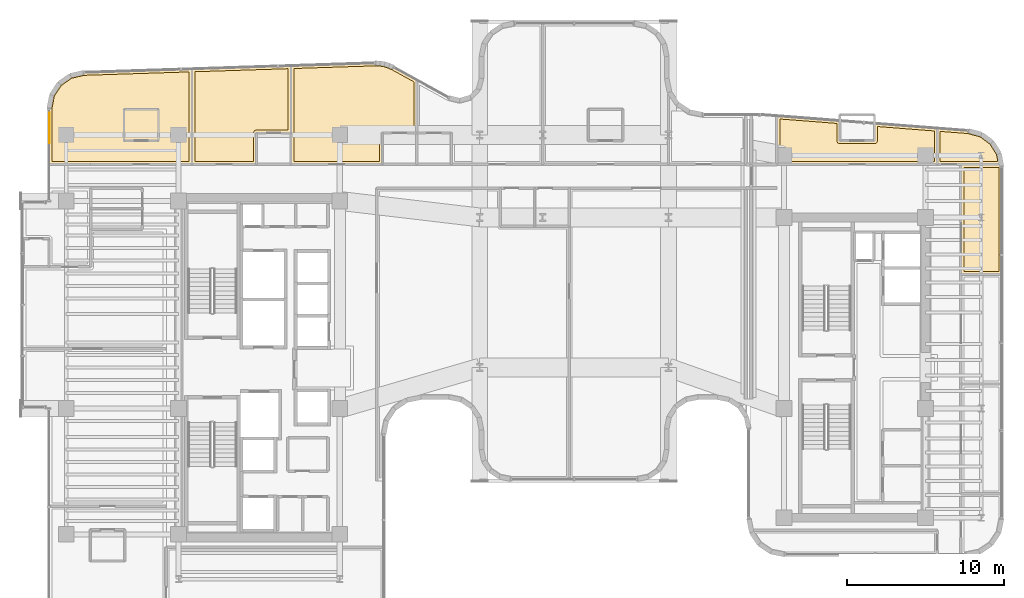
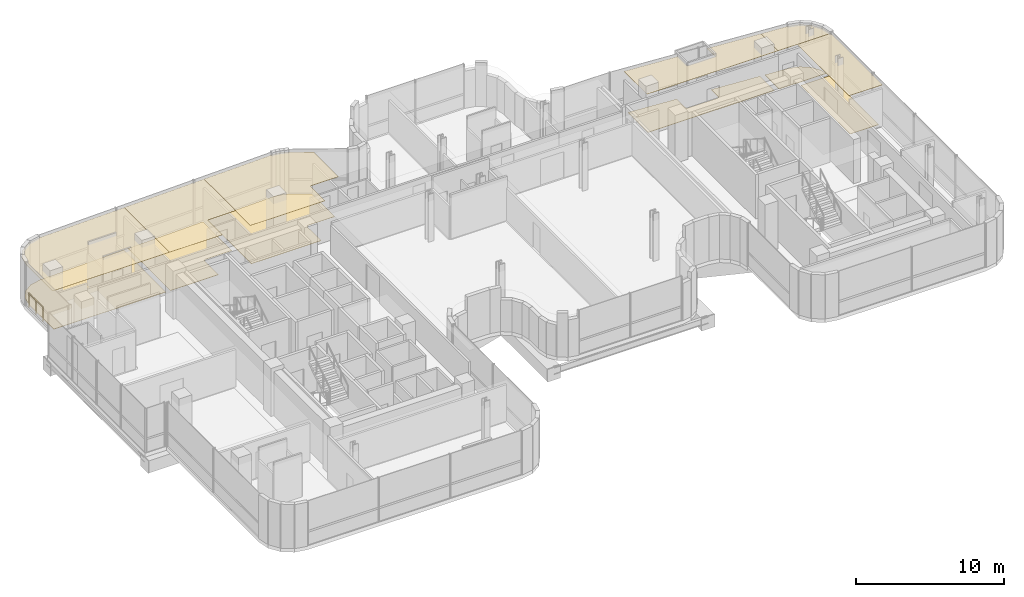
# One storey, part 35 of 36: 12 coverings, 1 railing.
"""IFC4 building model written with IfcOpenShell, lengths in metres."""

from ifc_helpers import new_model, si_unit, direction, frame, origin, origin_2d, place, context, subcontext, project, spatial, polyline, circle, outline, extrude, material, layer, layer_set, type_object, element, save


model = new_model("IFC4")

# Units and contexts
model_context = context("Model", 3, precision=1e-05, world=origin(), true_north=direction((0.0, 1.0)))
body_context = subcontext(model_context, "Body", "Model", "MODEL_VIEW")
ifc_project = project(units=[si_unit("LENGTHUNIT", "METRE"), si_unit("AREAUNIT", "SQUARE_METRE"), si_unit("VOLUMEUNIT", "CUBIC_METRE"), si_unit("PLANEANGLEUNIT", "RADIAN"), si_unit("MASSUNIT", "GRAM", prefix="KILO")], contexts=[model_context])

# Site, building, storey
site_placement = place(None, origin())
site = spatial("IfcSite", under=ifc_project, at=site_placement, CompositionType="ELEMENT")
building_placement = place(site_placement, origin())
building = spatial("IfcBuilding", under=site, at=building_placement, Name="Valdorenza Pilgrim Sanctuary Tower", CompositionType="ELEMENT")
storey_placement = place(building_placement, frame((0.0, 0.0, 176.550048828125)))
storey = spatial("IfcBuildingStorey", under=building, at=storey_placement, Name="L45", CompositionType="ELEMENT", Elevation=176.550048828125)

# Coverings
ifc_material_1 = material(Name="Micro-perforated acoustic mineral ceiling tile", Category="gypsum")
ifc_layer_1 = layer(ifc_material_1, 0.02490234375, Name="Micro-perforated acoustic mineral ceiling tile")
ifc_layer_set_1 = layer_set([ifc_layer_1], Name="Micro-perforated acoustic mineral ceiling tile")
covering_type_1 = type_object("IfcCoveringType", Name="COV-CLG-ACU", PredefinedType="CEILING", material=ifc_layer_set_1)
covering_1_placement = place(storey_placement, frame((0.0, 0.0, 3.329833984375)))
element("IfcCovering", 1, at=covering_1_placement, inside=storey, type_object=covering_type_1, Name="L45 North Guest Room L45-N1 Acoustic Ceiling", PredefinedType="CEILING", context=body_context, shape_type="SweptSolid", body=[
    extrude(outline(polyline([(-30.735595703125, 17.337890625), (-30.735107421875, 17.33935546875), (-30.734619140625, 17.3408203125), (-30.734130859375, 17.342041015625), (-30.7333984375, 17.34326171875), (-30.256591796875, 18.076416015625), (-30.255615234375, 18.077392578125), (-30.254638671875, 18.07861328125), (-30.253662109375, 18.07958984375), (-30.25244140625, 18.08056640625), (-29.535400390625, 18.580810546875), (-29.5341796875, 18.581787109375), (-29.532958984375, 18.58251953125), (-29.531494140625, 18.5830078125), (-29.5302734375, 18.583251953125), (-28.667236328125, 18.780517578125), (-28.665771484375, 18.781005859375), (-28.664306640625, 18.781005859375), (-21.800537109375, 19.00439453125), (-21.799072265625, 19.00439453125), (-21.797607421875, 19.00439453125), (-21.7958984375, 19.00390625), (-21.794677734375, 19.00341796875), (-21.793212890625, 19.0029296875), (-21.7919921875, 19.002197265625), (-21.790771484375, 19.001220703125), (-21.78955078125, 19.000244140625), (-21.78857421875, 18.999267578125), (-21.78759765625, 18.998046875), (-21.786865234375, 18.99658203125), (-21.7861328125, 18.995361328125), (-21.78564453125, 18.993896484375), (-21.785400390625, 18.992431640625), (-21.78515625, 18.990966796875), (-21.784912109375, 18.989501953125), (-21.784912109375, 12.919921875), (-21.78515625, 12.91845703125), (-21.785400390625, 12.9169921875), (-21.78564453125, 12.91552734375), (-21.7861328125, 12.914306640625), (-21.786865234375, 12.912841796875), (-21.78759765625, 12.91162109375), (-21.788330078125, 12.910400390625), (-21.789306640625, 12.909423828125), (-21.79052734375, 12.908447265625), (-21.791748046875, 12.907470703125), (-21.79296875, 12.90673828125), (-21.794189453125, 12.906005859375), (-21.795654296875, 12.905517578125), (-21.797119140625, 12.9052734375), (-21.798583984375, 12.905029296875), (-21.800048828125, 12.905029296875), (-30.889892578125, 12.905029296875), (-30.8916015625, 12.905029296875), (-30.892822265625, 12.9052734375), (-30.894287109375, 12.905517578125), (-30.895751953125, 12.906005859375), (-30.897216796875, 12.90673828125), (-30.898193359375, 12.907470703125), (-30.8994140625, 12.908447265625), (-30.900634765625, 12.909423828125), (-30.901611328125, 12.910400390625), (-30.902587890625, 12.91162109375), (-30.9033203125, 12.912841796875), (-30.90380859375, 12.914306640625), (-30.904296875, 12.91552734375), (-30.90478515625, 12.9169921875), (-30.90478515625, 12.91845703125), (-30.905029296875, 12.919921875), (-30.905029296875, 16.46630859375), (-30.90478515625, 16.4677734375), (-30.90478515625, 16.46923828125), (-30.735595703125, 17.337890625)])), origin(), (0.0, 0.0, 1.0), 0.025146484375),
])
covering_2_placement = place(storey_placement, frame((0.0, 0.0, 3.329833984375)))
element("IfcCovering", 2, at=covering_2_placement, inside=storey, type_object=covering_type_1, Name="L45 North Guest Room L45-N2 Acoustic Ceiling", PredefinedType="CEILING", context=body_context, shape_type="SweptSolid", body=[
    extrude(outline(polyline([(-21.81298828125, 18.989501953125), (-21.81298828125, 18.990234375), (-21.812744140625, 18.99169921875), (-21.8125, 18.9931640625), (-21.81201171875, 18.99462890625), (-21.8115234375, 18.99609375), (-21.810791015625, 18.997314453125), (-21.81005859375, 18.99853515625), (-21.80908203125, 18.999755859375), (-21.80810546875, 19.000732421875), (-21.806884765625, 19.001708984375), (-21.8056640625, 19.00244140625), (-21.80419921875, 19.003173828125), (-21.802978515625, 19.003662109375), (-21.801513671875, 19.004150390625), (-21.800048828125, 19.00439453125), (-21.798583984375, 19.00439453125), (-15.500732421875, 19.209716796875), (-15.500244140625, 19.209716796875), (-15.5, 19.209716796875), (-15.49853515625, 19.20947265625), (-15.4970703125, 19.209228515625), (-15.49560546875, 19.208984375), (-15.494384765625, 19.20849609375), (-15.492919921875, 19.207763671875), (-15.49169921875, 19.20703125), (-15.490478515625, 19.206298828125), (-15.489501953125, 19.205078125), (-15.48828125, 19.2041015625), (-15.487548828125, 19.202880859375), (-15.48681640625, 19.20166015625), (-15.486083984375, 19.2001953125), (-15.485595703125, 19.198974609375), (-15.4853515625, 19.197509765625), (-15.485107421875, 19.196044921875), (-15.485107421875, 19.194580078125), (-15.485107421875, 14.922119140625), (-15.485107421875, 14.92041015625), (-15.4853515625, 14.919189453125), (-15.485595703125, 14.91748046875), (-15.486083984375, 14.916259765625), (-15.48681640625, 14.914794921875), (-15.487548828125, 14.913818359375), (-15.48828125, 14.91259765625), (-15.489501953125, 14.911376953125), (-15.490478515625, 14.910400390625), (-15.49169921875, 14.909423828125), (-15.492919921875, 14.90869140625), (-15.494384765625, 14.908203125), (-15.49560546875, 14.90771484375), (-15.4970703125, 14.9072265625), (-15.49853515625, 14.906982421875), (-15.5, 14.906982421875), (-17.68701171875, 14.906982421875), (-17.68701171875, 12.919921875), (-17.68701171875, 12.91845703125), (-17.687255859375, 12.9169921875), (-17.6875, 12.91552734375), (-17.68798828125, 12.914306640625), (-17.688720703125, 12.912841796875), (-17.689453125, 12.91162109375), (-17.6904296875, 12.910400390625), (-17.69140625, 12.909423828125), (-17.6923828125, 12.908447265625), (-17.693603515625, 12.907470703125), (-17.69482421875, 12.90673828125), (-17.6962890625, 12.906005859375), (-17.697509765625, 12.905517578125), (-17.69921875, 12.9052734375), (-17.700439453125, 12.905029296875), (-17.701904296875, 12.905029296875), (-21.798095703125, 12.905029296875), (-21.799560546875, 12.905029296875), (-21.80078125, 12.9052734375), (-21.802490234375, 12.905517578125), (-21.8037109375, 12.906005859375), (-21.80517578125, 12.90673828125), (-21.806396484375, 12.907470703125), (-21.8076171875, 12.908447265625), (-21.80859375, 12.909423828125), (-21.8095703125, 12.910400390625), (-21.810546875, 12.91162109375), (-21.811279296875, 12.912841796875), (-21.81201171875, 12.914306640625), (-21.8125, 12.91552734375), (-21.812744140625, 12.9169921875), (-21.81298828125, 12.91845703125), (-21.81298828125, 12.919921875), (-21.81298828125, 18.989501953125), (-21.81298828125, 18.989501953125)])), origin(), (0.0, 0.0, 1.0), 0.025146484375),
])
covering_3_placement = place(storey_placement, frame((0.0, 0.0, 3.329833984375)))
element("IfcCovering", 3, at=covering_3_placement, inside=storey, type_object=covering_type_1, Name="L45 North Guest Room L45-N3 Acoustic Ceiling", PredefinedType="CEILING", context=body_context, shape_type="SweptSolid", body=[
    extrude(outline(polyline([(-15.512939453125, 14.918212890625), (-15.51318359375, 14.9189453125), (-15.51318359375, 14.92041015625), (-15.51318359375, 14.922119140625), (-15.51318359375, 14.923583984375), (-15.512939453125, 14.923828125), (-15.512939453125, 19.194580078125), (-15.512939453125, 19.194580078125), (-15.512939453125, 19.1953125), (-15.5126953125, 19.197021484375), (-15.512451171875, 19.198486328125), (-15.51220703125, 19.19970703125), (-15.511474609375, 19.201171875), (-15.5107421875, 19.202392578125), (-15.510009765625, 19.20361328125), (-15.509033203125, 19.204833984375), (-15.508056640625, 19.205810546875), (-15.5068359375, 19.206787109375), (-15.505615234375, 19.20751953125), (-15.504150390625, 19.208251953125), (-15.5029296875, 19.208984375), (-15.50146484375, 19.209228515625), (-15.5, 19.20947265625), (-15.49853515625, 19.209716796875), (-10.15966796875, 19.383544921875), (-10.1591796875, 19.383544921875), (-10.156982421875, 19.383544921875), (-10.156494140625, 19.383544921875), (-9.84765625, 19.372802734375), (-9.845703125, 19.37255859375), (-9.5439453125, 19.3212890625), (-9.5419921875, 19.32080078125), (-9.24951171875, 19.229736328125), (-9.24755859375, 19.22900390625), (-8.966552734375, 19.09814453125), (-8.9658203125, 19.097900390625), (-7.492919921875, 18.28759765625), (-7.491455078125, 18.286865234375), (-7.490478515625, 18.285888671875), (-7.4892578125, 18.284912109375), (-7.48828125, 18.283935546875), (-7.487548828125, 18.28271484375), (-7.48681640625, 18.281494140625), (-7.486083984375, 18.280029296875), (-7.485595703125, 18.27880859375), (-7.4853515625, 18.27734375), (-7.485107421875, 18.27587890625), (-7.485107421875, 18.2744140625), (-7.485107421875, 14.922119140625), (-7.485107421875, 14.92041015625), (-7.4853515625, 14.919189453125), (-7.485595703125, 14.91748046875), (-7.486083984375, 14.916259765625), (-7.48681640625, 14.914794921875), (-7.487548828125, 14.913818359375), (-7.48828125, 14.91259765625), (-7.489501953125, 14.911376953125), (-7.490478515625, 14.910400390625), (-7.49169921875, 14.909423828125), (-7.492919921875, 14.90869140625), (-7.494384765625, 14.908203125), (-7.49560546875, 14.90771484375), (-7.4970703125, 14.9072265625), (-7.49853515625, 14.906982421875), (-7.5, 14.906982421875), (-9.68701171875, 14.906982421875), (-9.68701171875, 12.919921875), (-9.68701171875, 12.91845703125), (-9.687255859375, 12.9169921875), (-9.6875, 12.91552734375), (-9.68798828125, 12.914306640625), (-9.688720703125, 12.912841796875), (-9.689453125, 12.91162109375), (-9.6904296875, 12.910400390625), (-9.69140625, 12.909423828125), (-9.6923828125, 12.908447265625), (-9.693603515625, 12.907470703125), (-9.69482421875, 12.90673828125), (-9.6962890625, 12.906005859375), (-9.697509765625, 12.905517578125), (-9.69921875, 12.9052734375), (-9.700439453125, 12.905029296875), (-9.701904296875, 12.905029296875), (-15.498046875, 12.905029296875), (-15.49951171875, 12.905029296875), (-15.5009765625, 12.9052734375), (-15.50244140625, 12.905517578125), (-15.503662109375, 12.906005859375), (-15.505126953125, 12.90673828125), (-15.50634765625, 12.907470703125), (-15.507568359375, 12.908447265625), (-15.508544921875, 12.909423828125), (-15.509521484375, 12.910400390625), (-15.510498046875, 12.91162109375), (-15.51123046875, 12.912841796875), (-15.511962890625, 12.914306640625), (-15.512451171875, 12.91552734375), (-15.5126953125, 12.9169921875), (-15.512939453125, 12.91845703125), (-15.512939453125, 12.919921875), (-15.512939453125, 14.918212890625)])), origin(), (0.0, 0.0, 1.0), 0.025146484375),
])
covering_4_placement = place(storey_placement, frame((0.0, 0.0, 3.329833984375)))
element("IfcCovering", 4, at=covering_4_placement, inside=storey, type_object=covering_type_1, Name="L45 East North Guest Room L45-EN1 Acoustic Ceiling", PredefinedType="CEILING", context=body_context, shape_type="SweptSolid", body=[
    extrude(outline(polyline([(15.39990234375, 12.905029296875), (15.3984375, 12.905029296875), (15.397216796875, 12.9052734375), (15.3955078125, 12.905517578125), (15.394287109375, 12.906005859375), (15.392822265625, 12.90673828125), (15.3916015625, 12.907470703125), (15.390380859375, 12.908447265625), (15.389404296875, 12.909423828125), (15.388427734375, 12.910400390625), (15.387451171875, 12.91162109375), (15.38671875, 12.912841796875), (15.385986328125, 12.914306640625), (15.385498046875, 12.91552734375), (15.38525390625, 12.9169921875), (15.385009765625, 12.91845703125), (15.385009765625, 12.919921875), (15.385009765625, 16.00439453125), (15.385009765625, 16.006103515625), (15.38525390625, 16.00732421875), (15.385498046875, 16.0087890625), (15.385986328125, 16.01025390625), (15.38671875, 16.01171875), (15.387451171875, 16.0126953125), (15.388427734375, 16.013916015625), (15.389404296875, 16.01513671875), (15.390380859375, 16.01611328125), (15.3916015625, 16.01708984375), (15.392822265625, 16.017578125), (15.394287109375, 16.018310546875), (15.3955078125, 16.018798828125), (15.397216796875, 16.019287109375), (15.3984375, 16.019287109375), (15.39990234375, 16.01953125), (15.400146484375, 16.01953125), (15.4013671875, 16.01953125), (19.399169921875, 15.7099609375), (19.400634765625, 15.709716796875), (19.402099609375, 15.70947265625), (19.403564453125, 15.708984375), (19.40478515625, 15.708251953125), (19.40625, 15.70751953125), (19.407470703125, 15.706787109375), (19.408447265625, 15.705810546875), (19.409423828125, 15.70458984375), (19.410400390625, 15.703369140625), (19.4111328125, 15.7021484375), (19.411865234375, 15.70068359375), (19.412353515625, 15.699462890625), (19.41259765625, 15.697998046875), (19.412841796875, 15.696533203125), (19.4130859375, 15.695068359375), (19.4130859375, 14.43310546875), (21.5869140625, 14.43310546875), (21.5869140625, 15.5244140625), (21.587158203125, 15.52587890625), (21.58740234375, 15.52734375), (21.587646484375, 15.52880859375), (21.588134765625, 15.530029296875), (21.588623046875, 15.531494140625), (21.589599609375, 15.53271484375), (21.59033203125, 15.53369140625), (21.59130859375, 15.534912109375), (21.59228515625, 15.535888671875), (21.593505859375, 15.53662109375), (21.5947265625, 15.53759765625), (21.59619140625, 15.5380859375), (21.597412109375, 15.538818359375), (21.598876953125, 15.5390625), (21.600341796875, 15.539306640625), (21.601806640625, 15.539306640625), (21.603271484375, 15.539306640625), (25.601318359375, 15.229736328125), (25.6025390625, 15.2294921875), (25.60400390625, 15.229248046875), (25.60546875, 15.228759765625), (25.60693359375, 15.228271484375), (25.608154296875, 15.2275390625), (25.609375, 15.2265625), (25.610595703125, 15.2255859375), (25.611572265625, 15.224609375), (25.6123046875, 15.223388671875), (25.61328125, 15.221923828125), (25.61376953125, 15.220703125), (25.6142578125, 15.21923828125), (25.61474609375, 15.2177734375), (25.614990234375, 15.21630859375), (25.614990234375, 15.21484375), (25.614990234375, 12.919921875), (25.614990234375, 12.91845703125), (25.61474609375, 12.9169921875), (25.614501953125, 12.91552734375), (25.614013671875, 12.914306640625), (25.61328125, 12.912841796875), (25.612548828125, 12.91162109375), (25.611572265625, 12.910400390625), (25.610595703125, 12.909423828125), (25.609619140625, 12.908447265625), (25.6083984375, 12.907470703125), (25.607177734375, 12.90673828125), (25.605712890625, 12.906005859375), (25.6044921875, 12.905517578125), (25.602783203125, 12.9052734375), (25.6015625, 12.905029296875), (25.60009765625, 12.905029296875), (15.39990234375, 12.905029296875)])), origin(), (0.0, 0.0, 1.0), 0.025146484375),
])
covering_5_placement = place(storey_placement, frame((0.0, 0.0, 3.329833984375)))
element("IfcCovering", 5, at=covering_5_placement, inside=storey, type_object=covering_type_1, Name="L45 East Wing Reference Library L45-BNE Acoustic Ceiling", PredefinedType="CEILING", context=body_context, shape_type="SweptSolid", body=[
    extrude(outline(polyline([(27.567626953125, 15.07763671875), (27.569091796875, 15.077392578125), (27.570556640625, 15.0771484375), (28.400390625, 14.852783203125), (28.40185546875, 14.852294921875), (28.403076171875, 14.851806640625), (28.404296875, 14.85107421875), (28.405517578125, 14.850341796875), (29.088134765625, 14.344970703125), (29.089111328125, 14.343994140625), (29.090087890625, 14.343017578125), (29.091064453125, 14.342041015625), (29.091796875, 14.3408203125), (29.543212890625, 13.62109375), (29.543701171875, 13.6201171875), (29.544189453125, 13.61865234375), (29.544921875, 13.617431640625), (29.545166015625, 13.615966796875), (29.676025390625, 12.9228515625), (29.67626953125, 12.92138671875), (29.67626953125, 12.919921875), (29.67626953125, 12.91845703125), (29.676025390625, 12.9169921875), (29.67578125, 12.91552734375), (29.67529296875, 12.914306640625), (29.674560546875, 12.912841796875), (29.673828125, 12.91162109375), (29.6728515625, 12.910400390625), (29.671875, 12.9091796875), (29.6708984375, 12.908447265625), (29.669677734375, 12.907470703125), (29.66845703125, 12.90673828125), (29.6669921875, 12.906005859375), (29.665771484375, 12.905517578125), (29.664306640625, 12.9052734375), (29.662841796875, 12.905029296875), (29.661376953125, 12.905029296875), (25.60205078125, 12.905029296875), (25.6005859375, 12.905029296875), (25.59912109375, 12.9052734375), (25.59765625, 12.905517578125), (25.59619140625, 12.906005859375), (25.594970703125, 12.90673828125), (25.59375, 12.907470703125), (25.592529296875, 12.908447265625), (25.59130859375, 12.909423828125), (25.59033203125, 12.910400390625), (25.589599609375, 12.91162109375), (25.5888671875, 12.912841796875), (25.588134765625, 12.914306640625), (25.587646484375, 12.91552734375), (25.58740234375, 12.9169921875), (25.587158203125, 12.91845703125), (25.5869140625, 12.919921875), (25.5869140625, 15.214599609375), (25.587158203125, 15.21630859375), (25.58740234375, 15.217529296875), (25.587646484375, 15.218994140625), (25.588134765625, 15.220458984375), (25.588623046875, 15.2216796875), (25.589599609375, 15.222900390625), (25.59033203125, 15.22412109375), (25.59130859375, 15.22509765625), (25.59228515625, 15.226318359375), (25.593505859375, 15.22705078125), (25.5947265625, 15.227783203125), (25.59619140625, 15.228515625), (25.597412109375, 15.22900390625), (25.598876953125, 15.2294921875), (25.600341796875, 15.2294921875), (25.601806640625, 15.229736328125), (25.603271484375, 15.229736328125), (27.567626953125, 15.07763671875)])), origin(), (0.0, 0.0, 1.0), 0.025146484375),
])
covering_6_placement = place(storey_placement, frame((0.0, 0.0, 3.329833984375)))
element("IfcCovering", 6, at=covering_6_placement, inside=storey, type_object=covering_type_1, Name="L45 East Reading Lounge L45-EB4 Acoustic Ceiling", PredefinedType="CEILING", context=body_context, shape_type="SweptSolid", body=[
    extrude(outline(polyline([(27.0849609375, 12.91796875), (27.085205078125, 12.91943359375), (27.085205078125, 12.9208984375), (27.085693359375, 12.92236328125), (27.086181640625, 12.923583984375), (27.0869140625, 12.925048828125), (27.08740234375, 12.92626953125), (27.08837890625, 12.927490234375), (27.08935546875, 12.9287109375), (27.090576171875, 12.9296875), (27.091796875, 12.930419921875), (27.093017578125, 12.93115234375), (27.09423828125, 12.931884765625), (27.095703125, 12.932373046875), (27.09716796875, 12.9326171875), (27.098388671875, 12.932861328125), (27.10009765625, 12.93310546875), (29.660888671875, 12.93310546875), (29.660888671875, 12.93310546875), (29.662353515625, 12.93310546875), (29.663818359375, 12.932861328125), (29.665283203125, 12.9326171875), (29.66650390625, 12.93212890625), (29.66796875, 12.931640625), (29.669189453125, 12.930908203125), (29.67041015625, 12.930419921875), (29.67138671875, 12.929443359375), (29.672607421875, 12.928466796875), (29.673583984375, 12.92724609375), (29.67431640625, 12.926025390625), (29.675048828125, 12.9248046875), (29.67578125, 12.923583984375), (29.676025390625, 12.922119140625), (29.676513671875, 12.9208984375), (29.70458984375, 12.77099609375), (29.704833984375, 12.769775390625), (29.705078125, 12.768310546875), (29.705078125, 5.94189453125), (29.704833984375, 5.9404296875), (29.70458984375, 5.939208984375), (29.704345703125, 5.9375), (29.703857421875, 5.936279296875), (29.703125, 5.934814453125), (29.702392578125, 5.93359375), (29.70166015625, 5.9326171875), (29.70068359375, 5.931396484375), (29.699462890625, 5.930419921875), (29.6982421875, 5.929443359375), (29.697021484375, 5.9287109375), (29.69580078125, 5.927978515625), (29.6943359375, 5.927490234375), (29.69287109375, 5.92724609375), (29.69140625, 5.927001953125), (29.68994140625, 5.927001953125), (27.10009765625, 5.927001953125), (27.098388671875, 5.927001953125), (27.09716796875, 5.92724609375), (27.095703125, 5.927490234375), (27.09423828125, 5.927978515625), (27.093017578125, 5.9287109375), (27.091796875, 5.929443359375), (27.090576171875, 5.930419921875), (27.08935546875, 5.931396484375), (27.08837890625, 5.9326171875), (27.08740234375, 5.93359375), (27.0869140625, 5.934814453125), (27.086181640625, 5.936279296875), (27.085693359375, 5.9375), (27.085205078125, 5.939208984375), (27.085205078125, 5.9404296875), (27.0849609375, 5.94189453125), (27.0849609375, 12.91796875)])), origin(), (0.0, 0.0, 1.0), 0.025146484375),
])
ifc_material_2 = material(Name="Engineered European oak timber flooring", Category="wood")
ifc_layer_2 = layer(ifc_material_2, 0.02197265625, Name="Engineered European oak timber flooring")
ifc_layer_set_2 = layer_set([ifc_layer_2], Name="Engineered European oak timber flooring")
covering_type_2 = type_object("IfcCoveringType", Name="COV-FLR-OAK", PredefinedType="FLOORING", material=ifc_layer_set_2)
covering_7_placement = place(storey_placement, origin())
element("IfcCovering", 7, at=covering_7_placement, inside=storey, type_object=covering_type_2, Name="L45 North Guest Room L45-N1 Flooring", PredefinedType="FLOORING", context=body_context, shape_type="SweptSolid", body=[
    extrude(outline(polyline([(-30.55078125, 17.266357421875), (-30.112060546875, 17.940673828125), (-29.45263671875, 18.40087890625), (-28.640625, 18.586669921875), (-21.97998046875, 18.803466796875), (-21.97998046875, 13.10009765625), (-30.7099609375, 13.10009765625), (-30.7099609375, 16.448974609375), (-30.55078125, 17.266357421875)])), origin(), (0.0, 0.0, 1.0), 0.02490234375),
])
covering_8_placement = place(storey_placement, origin())
element("IfcCovering", 8, at=covering_8_placement, inside=storey, type_object=covering_type_2, Name="L45 North Guest Room L45-N2 Flooring", PredefinedType="FLOORING", context=body_context, shape_type="SweptSolid", body=[
    extrude(outline(polyline([(-15.679931640625, 19.0087890625), (-15.679931640625, 15.10205078125), (-17.699951171875, 15.10205078125), (-17.708740234375, 15.101806640625), (-17.708984375, 15.101806640625), (-17.7265625, 15.10009765625), (-17.726806640625, 15.10009765625), (-17.744140625, 15.0966796875), (-17.744384765625, 15.096435546875), (-17.76123046875, 15.09130859375), (-17.761474609375, 15.09130859375), (-17.777587890625, 15.084716796875), (-17.77783203125, 15.08447265625), (-17.79345703125, 15.076171875), (-17.793701171875, 15.076171875), (-17.808349609375, 15.066162109375), (-17.80859375, 15.066162109375), (-17.822021484375, 15.054931640625), (-17.822265625, 15.0546875), (-17.834716796875, 15.042236328125), (-17.8349609375, 15.0419921875), (-17.84619140625, 15.028564453125), (-17.84619140625, 15.0283203125), (-17.856201171875, 15.013671875), (-17.856201171875, 15.013427734375), (-17.864501953125, 14.997802734375), (-17.864501953125, 14.997802734375), (-17.871337890625, 14.9814453125), (-17.871337890625, 14.981201171875), (-17.87646484375, 14.96435546875), (-17.876708984375, 14.964111328125), (-17.8798828125, 14.94677734375), (-17.8798828125, 14.946533203125), (-17.8818359375, 14.928955078125), (-17.8818359375, 14.9287109375), (-17.882080078125, 14.919921875), (-17.882080078125, 13.10009765625), (-21.617919921875, 13.10009765625), (-21.617919921875, 18.815185546875), (-15.679931640625, 19.0087890625)])), origin(), (0.0, 0.0, 1.0), 0.02490234375),
])
covering_9_placement = place(storey_placement, origin())
element("IfcCovering", 9, at=covering_9_placement, inside=storey, type_object=covering_type_2, Name="L45 North Guest Room L45-N3 Flooring", PredefinedType="FLOORING", context=body_context, shape_type="SweptSolid", body=[
    extrude(outline(polyline([(-15.318115234375, 14.921630859375), (-15.318115234375, 14.922119140625), (-15.318115234375, 19.0205078125), (-10.158203125, 19.1884765625), (-9.866455078125, 19.17822265625), (-9.58837890625, 19.131103515625), (-9.319091796875, 19.047119140625), (-9.054443359375, 18.924072265625), (-7.679931640625, 18.16796875), (-7.679931640625, 15.10205078125), (-9.699951171875, 15.10205078125), (-9.708740234375, 15.101806640625), (-9.708984375, 15.101806640625), (-9.7265625, 15.10009765625), (-9.726806640625, 15.10009765625), (-9.744140625, 15.0966796875), (-9.744384765625, 15.096435546875), (-9.76123046875, 15.09130859375), (-9.761474609375, 15.09130859375), (-9.777587890625, 15.084716796875), (-9.77783203125, 15.08447265625), (-9.79345703125, 15.076171875), (-9.793701171875, 15.076171875), (-9.808349609375, 15.066162109375), (-9.80859375, 15.066162109375), (-9.822021484375, 15.054931640625), (-9.822265625, 15.0546875), (-9.834716796875, 15.042236328125), (-9.8349609375, 15.0419921875), (-9.84619140625, 15.028564453125), (-9.84619140625, 15.0283203125), (-9.856201171875, 15.013671875), (-9.856201171875, 15.013427734375), (-9.864501953125, 14.997802734375), (-9.864501953125, 14.997802734375), (-9.871337890625, 14.9814453125), (-9.871337890625, 14.981201171875), (-9.87646484375, 14.96435546875), (-9.876708984375, 14.964111328125), (-9.8798828125, 14.94677734375), (-9.8798828125, 14.946533203125), (-9.8818359375, 14.928955078125), (-9.8818359375, 14.9287109375), (-9.882080078125, 14.919921875), (-9.882080078125, 13.10009765625), (-15.318115234375, 13.10009765625), (-15.318115234375, 14.919921875), (-15.318115234375, 14.9208984375), (-15.318115234375, 14.921630859375)])), origin(), (0.0, 0.0, 1.0), 0.02490234375),
])
covering_10_placement = place(storey_placement, origin())
element("IfcCovering", 10, at=covering_10_placement, inside=storey, type_object=covering_type_2, Name="L45 East North Guest Room L45-EN1 Flooring", PredefinedType="FLOORING", context=body_context, shape_type="SweptSolid", body=[
    extrude(outline(polyline([(15.580078125, 13.10009765625), (15.580078125, 15.81005859375), (19.218017578125, 15.5283203125), (19.218017578125, 14.419921875), (19.21826171875, 14.4111328125), (19.21826171875, 14.410888671875), (19.219970703125, 14.393310546875), (19.219970703125, 14.393310546875), (19.223388671875, 14.3759765625), (19.223388671875, 14.375732421875), (19.228515625, 14.35888671875), (19.228759765625, 14.358642578125), (19.2353515625, 14.34228515625), (19.235595703125, 14.342041015625), (19.243896484375, 14.326416015625), (19.243896484375, 14.326416015625), (19.25390625, 14.311767578125), (19.25390625, 14.3115234375), (19.26513671875, 14.2978515625), (19.26513671875, 14.297607421875), (19.277587890625, 14.28515625), (19.27783203125, 14.28515625), (19.29150390625, 14.27392578125), (19.291748046875, 14.273681640625), (19.306396484375, 14.263916015625), (19.306396484375, 14.263916015625), (19.322021484375, 14.255615234375), (19.322265625, 14.25537109375), (19.338623046875, 14.248779296875), (19.3388671875, 14.24853515625), (19.355712890625, 14.243408203125), (19.35595703125, 14.243408203125), (19.373291015625, 14.239990234375), (19.373291015625, 14.239990234375), (19.39111328125, 14.23828125), (19.39111328125, 14.23828125), (19.39990234375, 14.238037109375), (21.60009765625, 14.238037109375), (21.60888671875, 14.23828125), (21.60888671875, 14.23828125), (21.626708984375, 14.239990234375), (21.626708984375, 14.239990234375), (21.64404296875, 14.243408203125), (21.644287109375, 14.243408203125), (21.6611328125, 14.24853515625), (21.661376953125, 14.248779296875), (21.677734375, 14.25537109375), (21.677978515625, 14.255615234375), (21.693603515625, 14.263916015625), (21.693603515625, 14.263916015625), (21.708251953125, 14.273681640625), (21.70849609375, 14.27392578125), (21.72216796875, 14.28515625), (21.722412109375, 14.28515625), (21.73486328125, 14.297607421875), (21.73486328125, 14.2978515625), (21.74609375, 14.3115234375), (21.74609375, 14.311767578125), (21.756103515625, 14.326416015625), (21.756103515625, 14.326416015625), (21.764404296875, 14.342041015625), (21.7646484375, 14.34228515625), (21.771240234375, 14.358642578125), (21.771484375, 14.35888671875), (21.776611328125, 14.375732421875), (21.776611328125, 14.3759765625), (21.780029296875, 14.393310546875), (21.780029296875, 14.393310546875), (21.78173828125, 14.410888671875), (21.78173828125, 14.4111328125), (21.781982421875, 14.419921875), (21.781982421875, 15.329833984375), (25.419921875, 15.04833984375), (25.419921875, 13.10009765625), (15.580078125, 13.10009765625)])), origin(), (0.0, 0.0, 1.0), 0.02490234375),
])
ifc_material_3 = material(Name="Honed travertine stone flooring", Category="masonry")
ifc_layer_3 = layer(ifc_material_3, 0.030029296875, Name="Honed travertine stone flooring")
ifc_layer_set_3 = layer_set([ifc_layer_3], Name="Honed travertine stone flooring")
covering_type_3 = type_object("IfcCoveringType", Name="COV-FLR-TRV", PredefinedType="FLOORING", material=ifc_layer_set_3)
covering_11_placement = place(storey_placement, origin())
element("IfcCovering", 11, at=covering_11_placement, inside=storey, type_object=covering_type_3, Name="L45 East Wing Reference Library L45-BNE Flooring", PredefinedType="FLOORING", context=body_context, shape_type="SweptSolid", body=[
    extrude(outline(polyline([(27.535888671875, 14.884521484375), (28.31689453125, 14.67333984375), (28.944580078125, 14.20849609375), (29.35986328125, 13.54638671875), (29.444091796875, 13.10009765625), (25.781982421875, 13.10009765625), (25.781982421875, 15.020263671875), (27.535888671875, 14.884521484375)])), origin(), (0.0, 0.0, 1.0), 0.02490234375),
])
covering_12_placement = place(storey_placement, origin())
element("IfcCovering", 12, at=covering_12_placement, inside=storey, type_object=covering_type_3, Name="L45 East Reading Lounge L45-EB4 Flooring", PredefinedType="FLOORING", context=body_context, shape_type="SweptSolid", body=[
    extrude(outline(polyline([(27.280029296875, 12.738037109375), (29.510009765625, 12.738037109375), (29.510009765625, 6.1220703125), (27.280029296875, 6.1220703125), (27.280029296875, 12.738037109375)])), origin(), (0.0, 0.0, 1.0), 0.02490234375),
])

# Railing
ifc_material_4 = material(Name="Stainless steel Grade 316", Category="steel")
railing_type = type_object("IfcRailingType", Name="RLG-GRD-1120", PredefinedType="GUARDRAIL", material=ifc_material_4)
railing_placement = place(storey_placement, frame((-30.860107421875, 14.300048828125, 0.0)))
element("IfcRailing", 13, at=railing_placement, inside=storey, type_object=railing_type, Name="L45 NW Tangent Safety Sill Guard", PredefinedType="GUARDRAIL", context=body_context, shape_type="SweptSolid", body=[
    extrude(circle(Radius=0.02392578125, at=origin_2d()), frame((0.0, 0.0, 1.17578125), z_axis=(0.0, 1.0, 0.0), x_axis=(-1.0, 0.0, 0.0)), (0.0, 0.0, 1.0), 1.89990234375),
    extrude(circle(Radius=0.02099609375, at=origin_2d()), origin(), (0.0, 0.0, 1.0), 1.15185546875),
    extrude(circle(Radius=0.02099609375, at=origin_2d()), frame((0.0, 0.949951171875, 0.0)), (0.0, 0.0, 1.0), 1.15185546875),
    extrude(circle(Radius=0.02099609375, at=origin_2d()), frame((0.0, 1.89990234375, 0.0)), (0.0, 0.0, 1.0), 1.15185546875),
])

save(model, "model.ifc")
